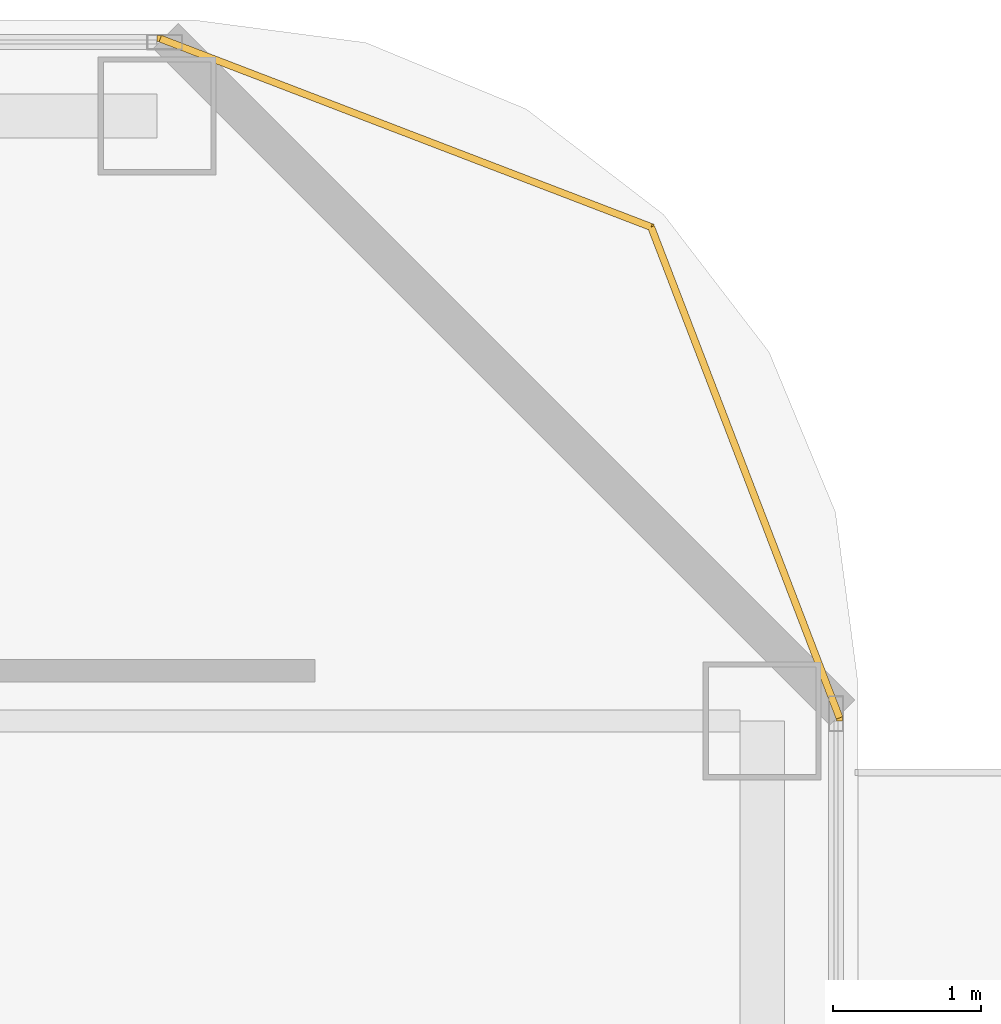
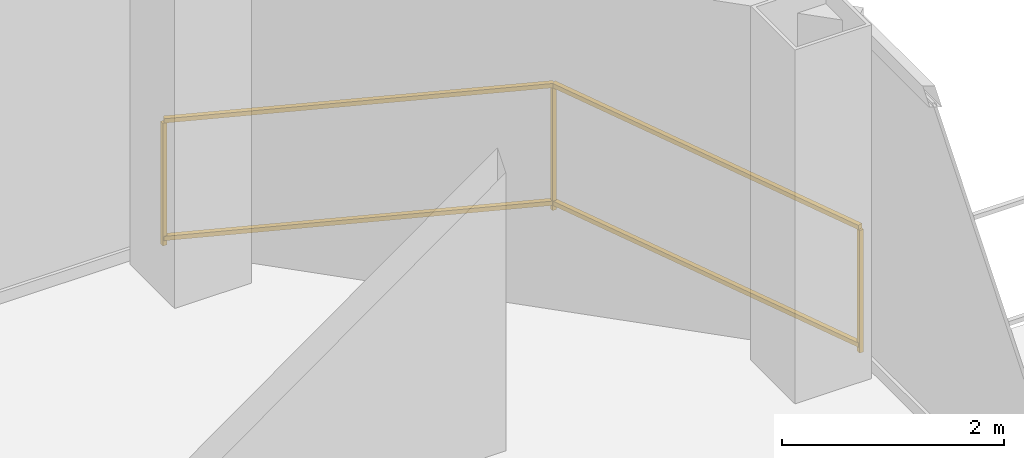
# One storey, part 29 of 29: 1 railing.
"""IFC4 building model written with IfcOpenShell, lengths in metres."""

from ifc_helpers import new_model, si_unit, direction, frame, origin, origin_2d, place, context, subcontext, project, spatial, rectangle, extrude, material, type_object, element, save


model = new_model("IFC4")

# Units and contexts
model_context = context("Model", 3, precision=1e-05, world=origin(), true_north=direction((0.0, 1.0)))
body_context = subcontext(model_context, "Body", "Model", "MODEL_VIEW")
ifc_project = project(units=[si_unit("LENGTHUNIT", "METRE"), si_unit("AREAUNIT", "SQUARE_METRE"), si_unit("VOLUMEUNIT", "CUBIC_METRE"), si_unit("PLANEANGLEUNIT", "RADIAN"), si_unit("MASSUNIT", "GRAM", prefix="KILO")], contexts=[model_context])

# Site, building, storey
site_placement = place(None, origin())
site = spatial("IfcSite", under=ifc_project, at=site_placement, CompositionType="ELEMENT")
building_placement = place(site_placement, origin())
building = spatial("IfcBuilding", under=site, at=building_placement, Name="Khorvyn Point Tower", CompositionType="ELEMENT")
storey_placement = place(building_placement, frame((0.0, 0.0, 69.60009765625)))
storey = spatial("IfcBuildingStorey", under=building, at=storey_placement, Name="L18", CompositionType="ELEMENT", Elevation=69.60009765625)

# Railing
ifc_material = material(Name="Anodised aluminium 6063-T6 and laminated safety glass", Category="aluminium")
railing_type = type_object("IfcRailingType", Name="Laminated Glass and Aluminium Balcony Guardrail 1400", PredefinedType="BALUSTRADE", material=ifc_material)
railing_placement = place(storey_placement, frame((22.174072265625, 20.470703125, 0.0)))
element("IfcRailing", 1, at=railing_placement, inside=storey, type_object=railing_type, Name="L18 Rounded Corner Edge Guardrail NE", PredefinedType="BALUSTRADE", context=body_context, shape_type="SweptSolid", body=[
    extrude(rectangle(XDim=0.048095703125, YDim=0.048095703125, at=origin_2d()), frame((0.0, 0.0, 1.3759765625), z_axis=(-0.358359142172, 0.933583807283, 0.0), x_axis=(-0.933583807283, -0.358359142172, 0.0)), (0.0, 0.0, 1.0), 3.56298828125),
    extrude(rectangle(XDim=0.048095703125, YDim=0.048095703125, at=origin_2d()), frame((0.0, 0.0, 0.080078125), z_axis=(-0.358359142172, 0.933583807283, 0.0), x_axis=(-0.933583807283, -0.358359142172, 0.0)), (0.0, 0.0, 1.0), 3.56298828125),
    extrude(rectangle(XDim=0.048095703125, YDim=0.048095703125, at=origin_2d()), frame((-1.27685546875, 3.326416015625, 1.3759765625), z_axis=(-0.933583807283, 0.358359142172, 0.0), x_axis=(-0.358359142172, -0.933583807283, 0.0)), (0.0, 0.0, 1.0), 3.56298828125),
    extrude(rectangle(XDim=0.048095703125, YDim=0.048095703125, at=origin_2d()), frame((-1.27685546875, 3.326416015625, 0.080078125), z_axis=(-0.933583807283, 0.358359142172, 0.0), x_axis=(-0.358359142172, -0.933583807283, 0.0)), (0.0, 0.0, 1.0), 3.56298828125),
    extrude(rectangle(XDim=0.0419921875, YDim=0.0419921875, at=origin_2d()), origin(), (0.0, 0.0, 1.0), 1.351806640625),
    extrude(rectangle(XDim=0.0419921875, YDim=0.0419921875, at=origin_2d()), frame((-1.27685546875, 3.326416015625, 0.0)), (0.0, 0.0, 1.0), 1.351806640625),
    extrude(rectangle(XDim=0.0419921875, YDim=0.0419921875, at=origin_2d()), frame((-4.603271484375, 4.603271484375, 0.0)), (0.0, 0.0, 1.0), 1.351806640625),
])

save(model, "model.ifc")
